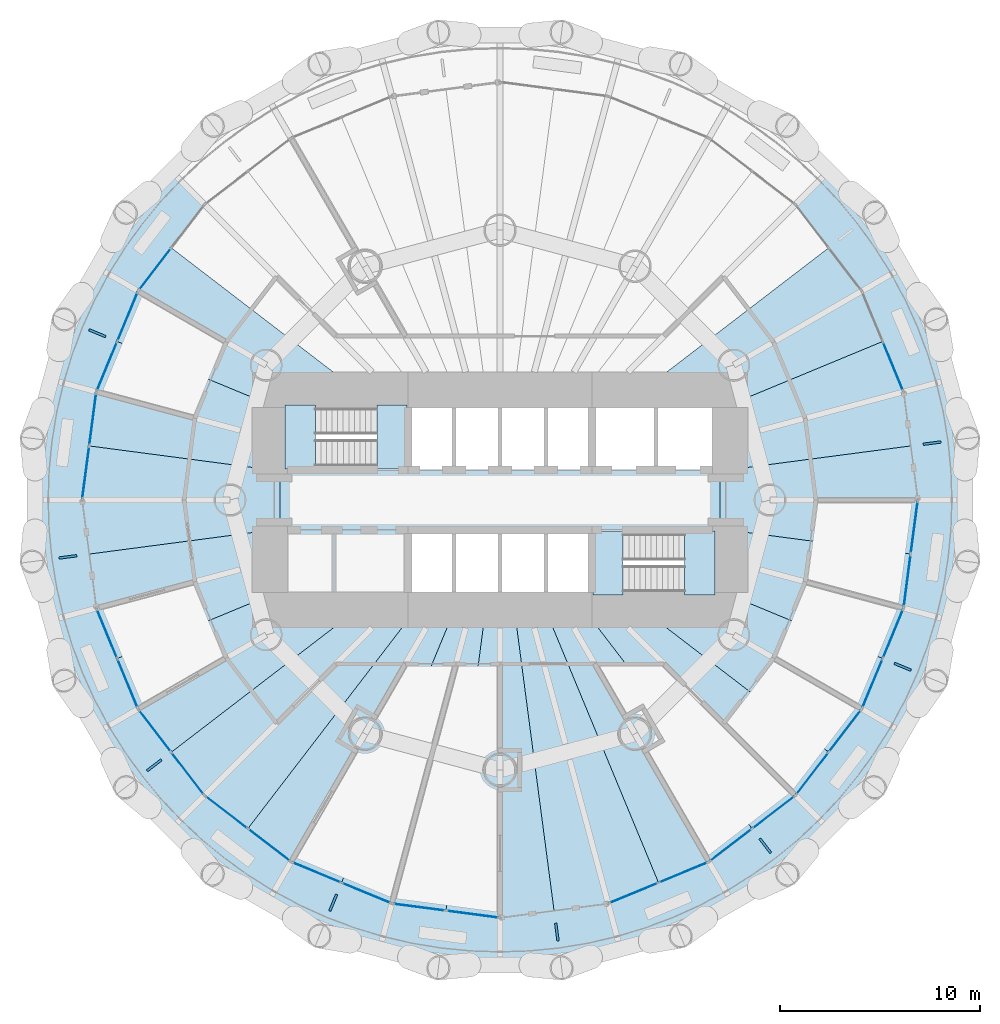
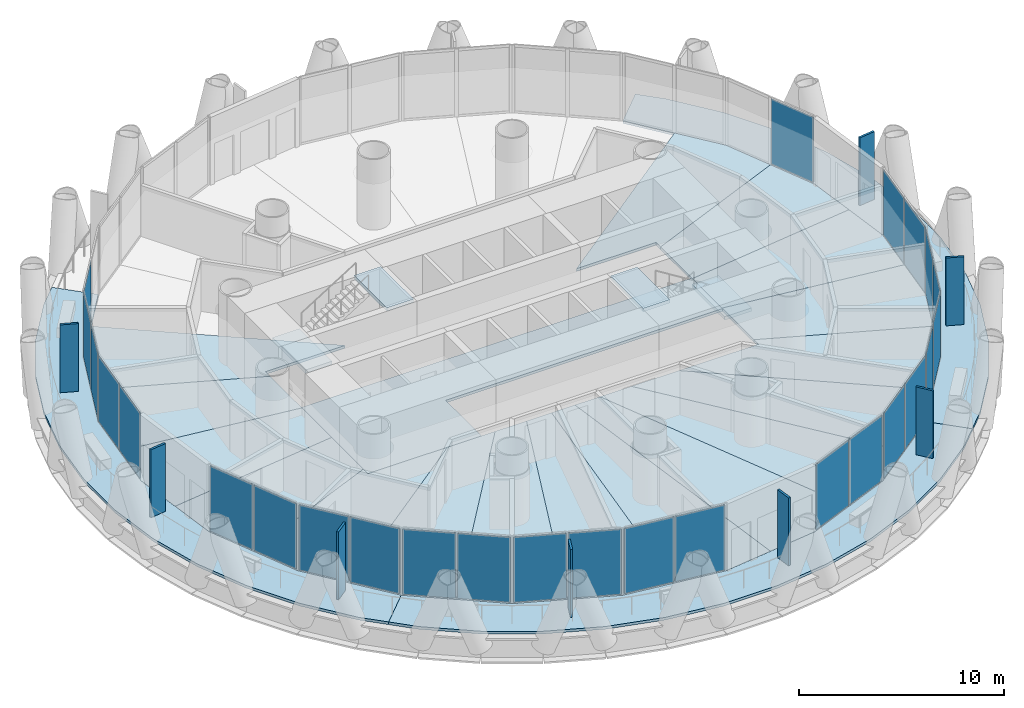
# One storey, part 8 of 15: 34 plates, 25 slabs, 16 elements without a shape of their own.
"""IFC4 building model written with IfcOpenShell, lengths in metres."""

from ifc_helpers import new_model, si_unit, direction, frame, origin, origin_2d, place, context, subcontext, project, spatial, polyline, rectangle, outline, extrude, material, layer, layer_set, type_object, element, aggregate, save


model = new_model("IFC4")

# Units and contexts
model_context = context("Model", 3, precision=1e-05, world=origin(), true_north=direction((0.0, 1.0)))
body_context = subcontext(model_context, "Body", "Model", "MODEL_VIEW")
ifc_project = project(units=[si_unit("LENGTHUNIT", "METRE"), si_unit("AREAUNIT", "SQUARE_METRE"), si_unit("VOLUMEUNIT", "CUBIC_METRE"), si_unit("PLANEANGLEUNIT", "RADIAN"), si_unit("MASSUNIT", "GRAM", prefix="KILO")], contexts=[model_context])

# Site, building, storey
site_placement = place(None, origin())
site = spatial("IfcSite", under=ifc_project, at=site_placement, CompositionType="ELEMENT")
building_placement = place(site_placement, origin())
building = spatial("IfcBuilding", under=site, at=building_placement, Name="Qaws Media Tower", CompositionType="ELEMENT")
storey_placement = place(building_placement, frame((0.0, 0.0, 30.199951171875)))
storey = spatial("IfcBuildingStorey", under=building, at=storey_placement, Name="L05", CompositionType="ELEMENT", Elevation=30.199951171875)

# Slabs
ifc_material_1 = material(Name="Concrete C35/45", Category="concrete")
ifc_layer_1 = layer(ifc_material_1, 0.159912109375)
ifc_layer_set_1 = layer_set([ifc_layer_1], Name="Composite balcony slab 160")
slab_type_1 = type_object("IfcSlabType", Name="Composite balcony slab 160", PredefinedType="FLOOR", material=ifc_layer_set_1)
slab_1_placement = place(storey_placement, frame((0.0, 0.0, -0.159912109375)))
element("IfcSlab", 1, at=slab_1_placement, inside=storey, type_object=slab_type_1, Name="S2 balcony slab L05 R10 to R16, movement joints on R10 and R16", PredefinedType="FLOOR", context=body_context, shape_type="SweptSolid", body=[
    extrude(outline(polyline([(42.482177734375, 34.63720703125), (40.626708984375, 37.05517578125), (39.102783203125, 39.694580078125), (37.9365234375, 42.510498046875), (37.147705078125, 45.454345703125), (36.75, 48.47607421875), (36.75, 51.52392578125), (37.147705078125, 54.545654296875), (37.9365234375, 57.489501953125), (39.102783203125, 60.305419921875), (40.626708984375, 62.94482421875), (42.482177734375, 65.36279296875), (43.559814453125, 66.440185546875), (45.221435546875, 64.778564453125), (41.900146484375, 60.449951171875), (39.812255859375, 55.4091796875), (39.10009765625, 50.0), (39.812255859375, 44.5908203125), (41.900146484375, 39.550048828125), (45.221435546875, 35.221435546875), (43.559814453125, 33.559814453125), (42.482177734375, 34.63720703125)])), origin(), (0.0, 0.0, 1.0), 0.159912109375),
])
slab_2_placement = place(storey_placement, frame((0.0, 0.0, -0.159912109375)))
element("IfcSlab", 2, at=slab_2_placement, inside=storey, type_object=slab_type_1, Name="S2 balcony slab L05 R16 to R22, movement joints on R16 and R22", PredefinedType="FLOOR", context=body_context, shape_type="SweptSolid", body=[
    extrude(outline(polyline([(75.36279296875, 32.482177734375), (72.94482421875, 30.626708984375), (70.305419921875, 29.102783203125), (67.489501953125, 27.9365234375), (64.545654296875, 27.147705078125), (61.52392578125, 26.75), (58.47607421875, 26.75), (55.454345703125, 27.147705078125), (52.510498046875, 27.9365234375), (49.694580078125, 29.102783203125), (47.05517578125, 30.626708984375), (44.63720703125, 32.482177734375), (43.559814453125, 33.559814453125), (45.221435546875, 35.221435546875), (49.550048828125, 31.900146484375), (54.5908203125, 29.81201171875), (60.0, 29.10009765625), (65.4091796875, 29.81201171875), (70.449951171875, 31.900146484375), (74.778564453125, 35.221435546875), (76.440185546875, 33.559814453125), (75.36279296875, 32.482177734375)])), origin(), (0.0, 0.0, 1.0), 0.159912109375),
])
slab_3_placement = place(storey_placement, frame((0.0, 0.0, -0.159912109375)))
element("IfcSlab", 3, at=slab_3_placement, inside=storey, type_object=slab_type_1, Name="S2 balcony slab L05 R22 to R04, movement joints on R22 and R04", PredefinedType="FLOOR", context=body_context, shape_type="SweptSolid", body=[
    extrude(outline(polyline([(82.852294921875, 45.454345703125), (82.0634765625, 42.510498046875), (80.897216796875, 39.694580078125), (79.373291015625, 37.05517578125), (77.517822265625, 34.63720703125), (76.440185546875, 33.559814453125), (74.778564453125, 35.221435546875), (78.099853515625, 39.550048828125), (80.187744140625, 44.5908203125), (80.89990234375, 50.0), (80.187744140625, 55.4091796875), (78.099853515625, 60.449951171875), (74.778564453125, 64.778564453125), (76.440185546875, 66.440185546875), (77.517822265625, 65.36279296875), (79.373291015625, 62.94482421875), (80.897216796875, 60.305419921875), (82.0634765625, 57.489501953125), (82.852294921875, 54.545654296875), (83.25, 51.52392578125), (83.25, 48.47607421875), (82.852294921875, 45.454345703125)])), origin(), (0.0, 0.0, 1.0), 0.159912109375),
])
ifc_material_2 = material(Name="Concrete C35/45", Category="concrete")
ifc_layer_2 = layer(ifc_material_2, 0.159912109375)
ifc_layer_set_2 = layer_set([ifc_layer_2], Name="Composite floor slab 160")
slab_type_2 = type_object("IfcSlabType", Name="Composite floor slab 160", PredefinedType="FLOOR", material=ifc_layer_set_2)
slab_4_placement = place(storey_placement, frame((0.0, 0.0, -0.159912109375)))
element("IfcSlab", 4, at=slab_4_placement, inside=storey, type_object=slab_type_2, Name="S1 core floor slab L05", PredefinedType="FLOOR", context=body_context, shape_type="SweptSolid", body=[
    extrude(outline(polyline([(71.0, 51.5), (71.0, 48.5), (55.39990234375, 48.5), (55.39990234375, 45.0), (49.0, 45.0), (49.0, 51.5), (71.0, 51.5)])), origin(), (0.0, 0.0, 1.0), 0.159912109375),
])
slab_5_placement = place(storey_placement, frame((0.0, 0.0, -0.159912109375)))
element("IfcSlab", 5, at=slab_5_placement, inside=storey, type_object=slab_type_2, Name="S1 floor panel L05 on R01", PredefinedType="FLOOR", context=body_context, shape_type="SweptSolid", body=[
    extrude(outline(polyline([(80.89990234375, 50.0), (80.5439453125, 47.29541015625), (71.0, 48.5517578125), (71.0, 51.4482421875), (80.5439453125, 52.70458984375), (80.89990234375, 50.0)])), origin(), (0.0, 0.0, 1.0), 0.159912109375),
])
slab_6_placement = place(storey_placement, frame((0.0, 0.0, -0.159912109375)))
element("IfcSlab", 6, at=slab_6_placement, inside=storey, type_object=slab_type_2, Name="S1 floor panel L05 on R02", PredefinedType="FLOOR", context=body_context, shape_type="SweptSolid", body=[
    extrude(outline(polyline([(80.187744140625, 55.4091796875), (80.5439453125, 52.70458984375), (71.0, 51.4482421875), (71.0, 54.556396484375), (79.143798828125, 57.9296875), (80.187744140625, 55.4091796875)])), origin(), (0.0, 0.0, 1.0), 0.159912109375),
])
slab_7_placement = place(storey_placement, frame((0.0, 0.0, -0.159912109375)))
element("IfcSlab", 7, at=slab_7_placement, inside=storey, type_object=slab_type_2, Name="S1 floor panel L05 on R03", PredefinedType="FLOOR", context=body_context, shape_type="SweptSolid", body=[
    extrude(outline(polyline([(78.099853515625, 60.449951171875), (79.143798828125, 57.9296875), (71.0, 54.556396484375), (71.0, 55.0), (66.51611328125, 55.0), (76.439208984375, 62.6142578125), (78.099853515625, 60.449951171875)])), origin(), (0.0, 0.0, 1.0), 0.159912109375),
])
slab_8_placement = place(storey_placement, frame((0.0, 0.0, -0.159912109375)))
element("IfcSlab", 8, at=slab_8_placement, inside=storey, type_object=slab_type_2, Name="S1 floor panel L05 on R11", PredefinedType="FLOOR", context=body_context, shape_type="SweptSolid", body=[
    extrude(outline(polyline([(41.900146484375, 60.449951171875), (43.560791015625, 62.6142578125), (53.48388671875, 55.0), (49.0, 55.0), (49.0, 54.556396484375), (40.856201171875, 57.9296875), (41.900146484375, 60.449951171875)])), origin(), (0.0, 0.0, 1.0), 0.159912109375),
])
slab_9_placement = place(storey_placement, frame((0.0, 0.0, -0.159912109375)))
element("IfcSlab", 9, at=slab_9_placement, inside=storey, type_object=slab_type_2, Name="S1 floor panel L05 on R12", PredefinedType="FLOOR", context=body_context, shape_type="SweptSolid", body=[
    extrude(outline(polyline([(39.812255859375, 55.4091796875), (40.856201171875, 57.9296875), (49.0, 54.556396484375), (49.0, 51.4482421875), (39.4560546875, 52.70458984375), (39.812255859375, 55.4091796875)])), origin(), (0.0, 0.0, 1.0), 0.159912109375),
])
slab_10_placement = place(storey_placement, frame((0.0, 0.0, -0.159912109375)))
element("IfcSlab", 10, at=slab_10_placement, inside=storey, type_object=slab_type_2, Name="S1 floor panel L05 on R13", PredefinedType="FLOOR", context=body_context, shape_type="SweptSolid", body=[
    extrude(outline(polyline([(39.10009765625, 50.0), (39.4560546875, 52.70458984375), (49.0, 51.4482421875), (49.0, 48.5517578125), (39.4560546875, 47.29541015625), (39.10009765625, 50.0)])), origin(), (0.0, 0.0, 1.0), 0.159912109375),
])
slab_11_placement = place(storey_placement, frame((0.0, 0.0, -0.159912109375)))
element("IfcSlab", 11, at=slab_11_placement, inside=storey, type_object=slab_type_2, Name="S1 floor panel L05 on R14", PredefinedType="FLOOR", context=body_context, shape_type="SweptSolid", body=[
    extrude(outline(polyline([(39.812255859375, 44.5908203125), (39.4560546875, 47.29541015625), (49.0, 48.5517578125), (49.0, 45.443603515625), (40.856201171875, 42.0703125), (39.812255859375, 44.5908203125)])), origin(), (0.0, 0.0, 1.0), 0.159912109375),
])
slab_12_placement = place(storey_placement, frame((0.0, 0.0, -0.159912109375)))
element("IfcSlab", 12, at=slab_12_placement, inside=storey, type_object=slab_type_2, Name="S1 floor panel L05 on R15", PredefinedType="FLOOR", context=body_context, shape_type="SweptSolid", body=[
    extrude(outline(polyline([(41.900146484375, 39.550048828125), (40.856201171875, 42.0703125), (49.0, 45.443603515625), (49.0, 45.0), (53.48388671875, 45.0), (43.560791015625, 37.3857421875), (41.900146484375, 39.550048828125)])), origin(), (0.0, 0.0, 1.0), 0.159912109375),
])
slab_13_placement = place(storey_placement, frame((0.0, 0.0, -0.159912109375)))
element("IfcSlab", 13, at=slab_13_placement, inside=storey, type_object=slab_type_2, Name="S1 floor panel L05 on R16", PredefinedType="FLOOR", context=body_context, shape_type="SweptSolid", body=[
    extrude(outline(polyline([(45.221435546875, 35.221435546875), (43.560791015625, 37.3857421875), (53.48388671875, 45.0), (56.163330078125, 45.0), (47.3857421875, 33.560791015625), (45.221435546875, 35.221435546875)])), origin(), (0.0, 0.0, 1.0), 0.159912109375),
])
slab_14_placement = place(storey_placement, frame((0.0, 0.0, -0.159912109375)))
element("IfcSlab", 14, at=slab_14_placement, inside=storey, type_object=slab_type_2, Name="S1 floor panel L05 on R17", PredefinedType="FLOOR", context=body_context, shape_type="SweptSolid", body=[
    extrude(outline(polyline([(49.550048828125, 31.900146484375), (47.3857421875, 33.560791015625), (56.163330078125, 45.0), (57.928955078125, 45.0), (52.0703125, 30.856201171875), (49.550048828125, 31.900146484375)])), origin(), (0.0, 0.0, 1.0), 0.159912109375),
])
slab_15_placement = place(storey_placement, frame((0.0, 0.0, -0.159912109375)))
element("IfcSlab", 15, at=slab_15_placement, inside=storey, type_object=slab_type_2, Name="S1 floor panel L05 on R18", PredefinedType="FLOOR", context=body_context, shape_type="SweptSolid", body=[
    extrude(outline(polyline([(54.5908203125, 29.81201171875), (52.0703125, 30.856201171875), (57.928955078125, 45.0), (59.341796875, 45.0), (57.29541015625, 29.4560546875), (54.5908203125, 29.81201171875)])), origin(), (0.0, 0.0, 1.0), 0.159912109375),
])
slab_16_placement = place(storey_placement, frame((0.0, 0.0, -0.159912109375)))
element("IfcSlab", 16, at=slab_16_placement, inside=storey, type_object=slab_type_2, Name="S1 floor panel L05 on R19", PredefinedType="FLOOR", context=body_context, shape_type="SweptSolid", body=[
    extrude(outline(polyline([(60.0, 29.10009765625), (57.29541015625, 29.4560546875), (59.341796875, 45.0), (60.658203125, 45.0), (62.70458984375, 29.4560546875), (60.0, 29.10009765625)])), origin(), (0.0, 0.0, 1.0), 0.159912109375),
])
slab_17_placement = place(storey_placement, frame((0.0, 0.0, -0.159912109375)))
element("IfcSlab", 17, at=slab_17_placement, inside=storey, type_object=slab_type_2, Name="S1 floor panel L05 on R20", PredefinedType="FLOOR", context=body_context, shape_type="SweptSolid", body=[
    extrude(outline(polyline([(65.4091796875, 29.81201171875), (62.70458984375, 29.4560546875), (60.658203125, 45.0), (62.071044921875, 45.0), (67.9296875, 30.856201171875), (65.4091796875, 29.81201171875)])), origin(), (0.0, 0.0, 1.0), 0.159912109375),
])
slab_18_placement = place(storey_placement, frame((0.0, 0.0, -0.159912109375)))
element("IfcSlab", 18, at=slab_18_placement, inside=storey, type_object=slab_type_2, Name="S1 floor panel L05 on R21", PredefinedType="FLOOR", context=body_context, shape_type="SweptSolid", body=[
    extrude(outline(polyline([(70.449951171875, 31.900146484375), (67.9296875, 30.856201171875), (62.071044921875, 45.0), (63.836669921875, 45.0), (72.6142578125, 33.560791015625), (70.449951171875, 31.900146484375)])), origin(), (0.0, 0.0, 1.0), 0.159912109375),
])
slab_19_placement = place(storey_placement, frame((0.0, 0.0, -0.159912109375)))
element("IfcSlab", 19, at=slab_19_placement, inside=storey, type_object=slab_type_2, Name="S1 floor panel L05 on R22", PredefinedType="FLOOR", context=body_context, shape_type="SweptSolid", body=[
    extrude(outline(polyline([(74.778564453125, 35.221435546875), (72.6142578125, 33.560791015625), (63.836669921875, 45.0), (66.51611328125, 45.0), (76.439208984375, 37.3857421875), (74.778564453125, 35.221435546875)])), origin(), (0.0, 0.0, 1.0), 0.159912109375),
])
slab_20_placement = place(storey_placement, frame((0.0, 0.0, -0.159912109375)))
element("IfcSlab", 20, at=slab_20_placement, inside=storey, type_object=slab_type_2, Name="S1 floor panel L05 on R23", PredefinedType="FLOOR", context=body_context, shape_type="SweptSolid", body=[
    extrude(outline(polyline([(78.099853515625, 39.550048828125), (76.439208984375, 37.3857421875), (66.51611328125, 45.0), (71.0, 45.0), (71.0, 45.443603515625), (79.143798828125, 42.0703125), (78.099853515625, 39.550048828125)])), origin(), (0.0, 0.0, 1.0), 0.159912109375),
])
slab_21_placement = place(storey_placement, frame((0.0, 0.0, -0.159912109375)))
element("IfcSlab", 21, at=slab_21_placement, inside=storey, type_object=slab_type_2, Name="S1 floor panel L05 on R24", PredefinedType="FLOOR", context=body_context, shape_type="SweptSolid", body=[
    extrude(outline(polyline([(79.143798828125, 42.0703125), (71.0, 45.443603515625), (71.0, 48.5517578125), (80.5439453125, 47.29541015625), (80.187744140625, 44.5908203125), (79.143798828125, 42.0703125)])), origin(), (0.0, 0.0, 1.0), 0.159912109375),
])

# Curtain wall, plate
ifc_material_3 = material(Name="Aluminium and clear glass", Category="aluminium")
curtain_wall_type = type_object("IfcCurtainWallType", Name="Unitised curtain wall CW-A", PredefinedType="NOTDEFINED", material=ifc_material_3)
curtain_wall_1_placement = place(storey_placement, origin())
curtain_wall_1 = element("IfcCurtainWall", 22, at=curtain_wall_1_placement, inside=storey, type_object=curtain_wall_type, Name="CWA curtain wall L05-02", PredefinedType="NOTDEFINED")
ifc_material_4 = material(Name="Clear laminated double glazing", Category="glass")
ifc_layer_3 = layer(ifc_material_4, 0.031982421875)
ifc_layer_set_3 = layer_set([ifc_layer_3], Name="Curtain wall glass unit 32")
plate_type_1 = type_object("IfcPlateType", Name="Curtain wall glass unit 32", PredefinedType="CURTAIN_PANEL", material=ifc_layer_set_3)
plate_1_placement = place(storey_placement, frame((79.658203125, 56.68798828125, 0.080078125), z_axis=(0.0, 0.0, 1.0), x_axis=(-0.382683456149, 0.92387952266, 0.0)))
plate_1 = element("IfcPlate", 23, at=plate_1_placement, type_object=plate_type_1, Name="CWA panel 1.1", PredefinedType="CURTAIN_PANEL", context=body_context, shape_type="SweptSolid", body=[
    extrude(rectangle(XDim=2.60791015625, YDim=0.031982421875, at=origin_2d()), origin(), (0.0, 0.0, 1.0), 3.8798828125),
])
aggregate(curtain_wall_1, [plate_1])

curtain_wall_2_placement = place(storey_placement, origin())
curtain_wall_2 = element("IfcCurtainWall", 24, at=curtain_wall_2_placement, inside=storey, type_object=curtain_wall_type, Name="CWA curtain wall L05-10", PredefinedType="NOTDEFINED")
plate_2_placement = place(storey_placement, frame((42.74267578125, 61.548095703125, 0.080078125), z_axis=(0.0, 0.0, 1.0), x_axis=(-0.608761380338, -0.793353377638, 0.0)))
plate_2 = element("IfcPlate", 25, at=plate_2_placement, type_object=plate_type_1, Name="CWA panel 2.1", PredefinedType="CURTAIN_PANEL", context=body_context, shape_type="SweptSolid", body=[
    extrude(rectangle(XDim=2.60791015625, YDim=0.031982421875, at=origin_2d()), origin(), (0.0, 0.0, 1.0), 3.8798828125),
])
aggregate(curtain_wall_2, [plate_2])

# Curtain wall, plates
curtain_wall_3_placement = place(storey_placement, origin())
curtain_wall_3 = element("IfcCurtainWall", 26, at=curtain_wall_3_placement, inside=storey, type_object=curtain_wall_type, Name="CWA curtain wall L05-11", PredefinedType="NOTDEFINED")
plate_3_placement = place(storey_placement, frame((41.370361328125, 59.17138671875, 0.080078125), z_axis=(0.0, 0.0, 1.0), x_axis=(-0.382683456149, -0.92387952266, 0.0)))
plate_3 = element("IfcPlate", 27, at=plate_3_placement, type_object=plate_type_1, Name="CWA panel 1.1", PredefinedType="CURTAIN_PANEL", context=body_context, shape_type="SweptSolid", body=[
    extrude(rectangle(XDim=2.60791015625, YDim=0.031982421875, at=origin_2d()), origin(), (0.0, 0.0, 1.0), 3.8798828125),
])
plate_4_placement = place(storey_placement, frame((40.341796875, 56.68798828125, 0.080078125), z_axis=(0.0, 0.0, 1.0), x_axis=(-0.382683456149, -0.92387952266, 0.0)))
plate_4 = element("IfcPlate", 28, at=plate_4_placement, type_object=plate_type_1, Name="CWA panel 2.1", PredefinedType="CURTAIN_PANEL", context=body_context, shape_type="SweptSolid", body=[
    extrude(rectangle(XDim=2.60791015625, YDim=0.031982421875, at=origin_2d()), origin(), (0.0, 0.0, 1.0), 3.8798828125),
])
aggregate(curtain_wall_3, [plate_3, plate_4])

curtain_wall_4_placement = place(storey_placement, origin())
curtain_wall_4 = element("IfcCurtainWall", 29, at=curtain_wall_4_placement, inside=storey, type_object=curtain_wall_type, Name="CWA curtain wall L05-12", PredefinedType="NOTDEFINED")
plate_5_placement = place(storey_placement, frame((39.631591796875, 54.037109375, 0.080078125), z_axis=(0.0, 0.0, 1.0), x_axis=(-0.130526151694, -0.991444866709, 0.0)))
plate_5 = element("IfcPlate", 30, at=plate_5_placement, type_object=plate_type_1, Name="CWA panel 1.1", PredefinedType="CURTAIN_PANEL", context=body_context, shape_type="SweptSolid", body=[
    extrude(rectangle(XDim=2.60791015625, YDim=0.031982421875, at=origin_2d()), origin(), (0.0, 0.0, 1.0), 3.8798828125),
])
plate_6_placement = place(storey_placement, frame((39.28076171875, 51.3720703125, 0.080078125), z_axis=(0.0, 0.0, 1.0), x_axis=(-0.130526151694, -0.991444866709, 0.0)))
plate_6 = element("IfcPlate", 31, at=plate_6_placement, type_object=plate_type_1, Name="CWA panel 2.1", PredefinedType="CURTAIN_PANEL", context=body_context, shape_type="SweptSolid", body=[
    extrude(rectangle(XDim=2.60791015625, YDim=0.031982421875, at=origin_2d()), origin(), (0.0, 0.0, 1.0), 3.8798828125),
])
aggregate(curtain_wall_4, [plate_5, plate_6])

curtain_wall_5_placement = place(storey_placement, origin())
curtain_wall_5 = element("IfcCurtainWall", 32, at=curtain_wall_5_placement, inside=storey, type_object=curtain_wall_type, Name="CWA curtain wall L05-14", PredefinedType="NOTDEFINED")
plate_7_placement = place(storey_placement, frame((40.341796875, 43.31201171875, 0.080078125), z_axis=(0.0, 0.0, 1.0), x_axis=(0.382683456149, -0.92387952266, 0.0)))
plate_7 = element("IfcPlate", 33, at=plate_7_placement, type_object=plate_type_1, Name="CWA panel 1.1", PredefinedType="CURTAIN_PANEL", context=body_context, shape_type="SweptSolid", body=[
    extrude(rectangle(XDim=2.60791015625, YDim=0.031982421875, at=origin_2d()), origin(), (0.0, 0.0, 1.0), 3.8798828125),
])
plate_8_placement = place(storey_placement, frame((41.370361328125, 40.82861328125, 0.080078125), z_axis=(0.0, 0.0, 1.0), x_axis=(0.382683456149, -0.92387952266, 0.0)))
plate_8 = element("IfcPlate", 34, at=plate_8_placement, type_object=plate_type_1, Name="CWA panel 2.1", PredefinedType="CURTAIN_PANEL", context=body_context, shape_type="SweptSolid", body=[
    extrude(rectangle(XDim=2.60791015625, YDim=0.031982421875, at=origin_2d()), origin(), (0.0, 0.0, 1.0), 3.8798828125),
])
aggregate(curtain_wall_5, [plate_7, plate_8])

curtain_wall_6_placement = place(storey_placement, origin())
curtain_wall_6 = element("IfcCurtainWall", 35, at=curtain_wall_6_placement, inside=storey, type_object=curtain_wall_type, Name="CWA curtain wall L05-15", PredefinedType="NOTDEFINED")
plate_9_placement = place(storey_placement, frame((42.74267578125, 38.451904296875, 0.080078125), z_axis=(0.0, 0.0, 1.0), x_axis=(0.608761380338, -0.793353377638, 0.0)))
plate_9 = element("IfcPlate", 36, at=plate_9_placement, type_object=plate_type_1, Name="CWA panel 1.1", PredefinedType="CURTAIN_PANEL", context=body_context, shape_type="SweptSolid", body=[
    extrude(rectangle(XDim=2.60791015625, YDim=0.031982421875, at=origin_2d()), origin(), (0.0, 0.0, 1.0), 3.8798828125),
])
plate_10_placement = place(storey_placement, frame((44.37890625, 36.319580078125, 0.080078125), z_axis=(0.0, 0.0, 1.0), x_axis=(0.608761380338, -0.793353377638, 0.0)))
plate_10 = element("IfcPlate", 37, at=plate_10_placement, type_object=plate_type_1, Name="CWA panel 2.1", PredefinedType="CURTAIN_PANEL", context=body_context, shape_type="SweptSolid", body=[
    extrude(rectangle(XDim=2.60791015625, YDim=0.031982421875, at=origin_2d()), origin(), (0.0, 0.0, 1.0), 3.8798828125),
])
aggregate(curtain_wall_6, [plate_9, plate_10])

curtain_wall_7_placement = place(storey_placement, origin())
curtain_wall_7 = element("IfcCurtainWall", 38, at=curtain_wall_7_placement, inside=storey, type_object=curtain_wall_type, Name="CWA curtain wall L05-16", PredefinedType="NOTDEFINED")
plate_11_placement = place(storey_placement, frame((46.319580078125, 34.37890625, 0.080078125), z_axis=(0.0, 0.0, 1.0), x_axis=(0.793353377638, -0.608761380338, 0.0)))
plate_11 = element("IfcPlate", 39, at=plate_11_placement, type_object=plate_type_1, Name="CWA panel 1.1", PredefinedType="CURTAIN_PANEL", context=body_context, shape_type="SweptSolid", body=[
    extrude(rectangle(XDim=2.60791015625, YDim=0.031982421875, at=origin_2d()), origin(), (0.0, 0.0, 1.0), 3.8798828125),
])
plate_12_placement = place(storey_placement, frame((48.451904296875, 32.74267578125, 0.080078125), z_axis=(0.0, 0.0, 1.0), x_axis=(0.793353377638, -0.608761380338, 0.0)))
plate_12 = element("IfcPlate", 40, at=plate_12_placement, type_object=plate_type_1, Name="CWA panel 2.1", PredefinedType="CURTAIN_PANEL", context=body_context, shape_type="SweptSolid", body=[
    extrude(rectangle(XDim=2.60791015625, YDim=0.031982421875, at=origin_2d()), origin(), (0.0, 0.0, 1.0), 3.8798828125),
])
aggregate(curtain_wall_7, [plate_11, plate_12])

curtain_wall_8_placement = place(storey_placement, origin())
curtain_wall_8 = element("IfcCurtainWall", 41, at=curtain_wall_8_placement, inside=storey, type_object=curtain_wall_type, Name="CWA curtain wall L05-17", PredefinedType="NOTDEFINED")
plate_13_placement = place(storey_placement, frame((50.82861328125, 31.370361328125, 0.080078125), z_axis=(0.0, 0.0, 1.0), x_axis=(0.92387952266, -0.382683456149, 0.0)))
plate_13 = element("IfcPlate", 42, at=plate_13_placement, type_object=plate_type_1, Name="CWA panel 1.1", PredefinedType="CURTAIN_PANEL", context=body_context, shape_type="SweptSolid", body=[
    extrude(rectangle(XDim=2.60791015625, YDim=0.031982421875, at=origin_2d()), origin(), (0.0, 0.0, 1.0), 3.8798828125),
])
plate_14_placement = place(storey_placement, frame((53.31201171875, 30.341796875, 0.080078125), z_axis=(0.0, 0.0, 1.0), x_axis=(0.92387952266, -0.382683456149, 0.0)))
plate_14 = element("IfcPlate", 43, at=plate_14_placement, type_object=plate_type_1, Name="CWA panel 2.1", PredefinedType="CURTAIN_PANEL", context=body_context, shape_type="SweptSolid", body=[
    extrude(rectangle(XDim=2.60791015625, YDim=0.031982421875, at=origin_2d()), origin(), (0.0, 0.0, 1.0), 3.8798828125),
])
aggregate(curtain_wall_8, [plate_13, plate_14])

curtain_wall_9_placement = place(storey_placement, origin())
curtain_wall_9 = element("IfcCurtainWall", 44, at=curtain_wall_9_placement, inside=storey, type_object=curtain_wall_type, Name="CWA curtain wall L05-18", PredefinedType="NOTDEFINED")
plate_15_placement = place(storey_placement, frame((55.962890625, 29.631591796875, 0.080078125), z_axis=(0.0, 0.0, 1.0), x_axis=(0.991444866709, -0.130526151694, 0.0)))
plate_15 = element("IfcPlate", 45, at=plate_15_placement, type_object=plate_type_1, Name="CWA panel 1.1", PredefinedType="CURTAIN_PANEL", context=body_context, shape_type="SweptSolid", body=[
    extrude(rectangle(XDim=2.60791015625, YDim=0.031982421875, at=origin_2d()), origin(), (0.0, 0.0, 1.0), 3.8798828125),
])
plate_16_placement = place(storey_placement, frame((58.6279296875, 29.28076171875, 0.080078125), z_axis=(0.0, 0.0, 1.0), x_axis=(0.991444866709, -0.130526151694, 0.0)))
plate_16 = element("IfcPlate", 46, at=plate_16_placement, type_object=plate_type_1, Name="CWA panel 2.1", PredefinedType="CURTAIN_PANEL", context=body_context, shape_type="SweptSolid", body=[
    extrude(rectangle(XDim=2.60791015625, YDim=0.031982421875, at=origin_2d()), origin(), (0.0, 0.0, 1.0), 3.8798828125),
])
aggregate(curtain_wall_9, [plate_15, plate_16])

curtain_wall_10_placement = place(storey_placement, origin())
curtain_wall_10 = element("IfcCurtainWall", 47, at=curtain_wall_10_placement, inside=storey, type_object=curtain_wall_type, Name="CWA curtain wall L05-20", PredefinedType="NOTDEFINED")
plate_17_placement = place(storey_placement, frame((66.68798828125, 30.341796875, 0.080078125), z_axis=(0.0, 0.0, 1.0), x_axis=(0.92387952266, 0.382683456149, 0.0)))
plate_17 = element("IfcPlate", 48, at=plate_17_placement, type_object=plate_type_1, Name="CWA panel 1.1", PredefinedType="CURTAIN_PANEL", context=body_context, shape_type="SweptSolid", body=[
    extrude(rectangle(XDim=2.60791015625, YDim=0.031982421875, at=origin_2d()), origin(), (0.0, 0.0, 1.0), 3.8798828125),
])
plate_18_placement = place(storey_placement, frame((69.17138671875, 31.370361328125, 0.080078125), z_axis=(0.0, 0.0, 1.0), x_axis=(0.92387952266, 0.382683456149, 0.0)))
plate_18 = element("IfcPlate", 49, at=plate_18_placement, type_object=plate_type_1, Name="CWA panel 2.1", PredefinedType="CURTAIN_PANEL", context=body_context, shape_type="SweptSolid", body=[
    extrude(rectangle(XDim=2.60791015625, YDim=0.031982421875, at=origin_2d()), origin(), (0.0, 0.0, 1.0), 3.8798828125),
])
aggregate(curtain_wall_10, [plate_17, plate_18])

curtain_wall_11_placement = place(storey_placement, origin())
curtain_wall_11 = element("IfcCurtainWall", 50, at=curtain_wall_11_placement, inside=storey, type_object=curtain_wall_type, Name="CWA curtain wall L05-21", PredefinedType="NOTDEFINED")
plate_19_placement = place(storey_placement, frame((71.548095703125, 32.74267578125, 0.080078125), z_axis=(0.0, 0.0, 1.0), x_axis=(0.793353377638, 0.608761380338, 0.0)))
plate_19 = element("IfcPlate", 51, at=plate_19_placement, type_object=plate_type_1, Name="CWA panel 1.1", PredefinedType="CURTAIN_PANEL", context=body_context, shape_type="SweptSolid", body=[
    extrude(rectangle(XDim=2.60791015625, YDim=0.031982421875, at=origin_2d()), origin(), (0.0, 0.0, 1.0), 3.8798828125),
])
plate_20_placement = place(storey_placement, frame((73.680419921875, 34.37890625, 0.080078125), z_axis=(0.0, 0.0, 1.0), x_axis=(0.793353377638, 0.608761380338, 0.0)))
plate_20 = element("IfcPlate", 52, at=plate_20_placement, type_object=plate_type_1, Name="CWA panel 2.1", PredefinedType="CURTAIN_PANEL", context=body_context, shape_type="SweptSolid", body=[
    extrude(rectangle(XDim=2.60791015625, YDim=0.031982421875, at=origin_2d()), origin(), (0.0, 0.0, 1.0), 3.8798828125),
])
aggregate(curtain_wall_11, [plate_19, plate_20])

curtain_wall_12_placement = place(storey_placement, origin())
curtain_wall_12 = element("IfcCurtainWall", 53, at=curtain_wall_12_placement, inside=storey, type_object=curtain_wall_type, Name="CWA curtain wall L05-22", PredefinedType="NOTDEFINED")
plate_21_placement = place(storey_placement, frame((75.62109375, 36.319580078125, 0.080078125), z_axis=(0.0, 0.0, 1.0), x_axis=(0.608761380338, 0.793353377638, 0.0)))
plate_21 = element("IfcPlate", 54, at=plate_21_placement, type_object=plate_type_1, Name="CWA panel 1.1", PredefinedType="CURTAIN_PANEL", context=body_context, shape_type="SweptSolid", body=[
    extrude(rectangle(XDim=2.60791015625, YDim=0.031982421875, at=origin_2d()), origin(), (0.0, 0.0, 1.0), 3.8798828125),
])
plate_22_placement = place(storey_placement, frame((77.25732421875, 38.451904296875, 0.080078125), z_axis=(0.0, 0.0, 1.0), x_axis=(0.608761380338, 0.793353377638, 0.0)))
plate_22 = element("IfcPlate", 55, at=plate_22_placement, type_object=plate_type_1, Name="CWA panel 2.1", PredefinedType="CURTAIN_PANEL", context=body_context, shape_type="SweptSolid", body=[
    extrude(rectangle(XDim=2.60791015625, YDim=0.031982421875, at=origin_2d()), origin(), (0.0, 0.0, 1.0), 3.8798828125),
])
aggregate(curtain_wall_12, [plate_21, plate_22])

curtain_wall_13_placement = place(storey_placement, origin())
curtain_wall_13 = element("IfcCurtainWall", 56, at=curtain_wall_13_placement, inside=storey, type_object=curtain_wall_type, Name="CWA curtain wall L05-23", PredefinedType="NOTDEFINED")
plate_23_placement = place(storey_placement, frame((78.629638671875, 40.82861328125, 0.080078125), z_axis=(0.0, 0.0, 1.0), x_axis=(0.382683456149, 0.92387952266, 0.0)))
plate_23 = element("IfcPlate", 57, at=plate_23_placement, type_object=plate_type_1, Name="CWA panel 1.1", PredefinedType="CURTAIN_PANEL", context=body_context, shape_type="SweptSolid", body=[
    extrude(rectangle(XDim=2.60791015625, YDim=0.031982421875, at=origin_2d()), origin(), (0.0, 0.0, 1.0), 3.8798828125),
])
plate_24_placement = place(storey_placement, frame((79.658203125, 43.31201171875, 0.080078125), z_axis=(0.0, 0.0, 1.0), x_axis=(0.382683456149, 0.92387952266, 0.0)))
plate_24 = element("IfcPlate", 58, at=plate_24_placement, type_object=plate_type_1, Name="CWA panel 2.1", PredefinedType="CURTAIN_PANEL", context=body_context, shape_type="SweptSolid", body=[
    extrude(rectangle(XDim=2.60791015625, YDim=0.031982421875, at=origin_2d()), origin(), (0.0, 0.0, 1.0), 3.8798828125),
])
aggregate(curtain_wall_13, [plate_23, plate_24])

curtain_wall_14_placement = place(storey_placement, origin())
curtain_wall_14 = element("IfcCurtainWall", 59, at=curtain_wall_14_placement, inside=storey, type_object=curtain_wall_type, Name="CWA curtain wall L05-24", PredefinedType="NOTDEFINED")
plate_25_placement = place(storey_placement, frame((80.368408203125, 45.962890625, 0.080078125), z_axis=(0.0, 0.0, 1.0), x_axis=(0.130526151694, 0.991444866709, 0.0)))
plate_25 = element("IfcPlate", 60, at=plate_25_placement, type_object=plate_type_1, Name="CWA panel 1.1", PredefinedType="CURTAIN_PANEL", context=body_context, shape_type="SweptSolid", body=[
    extrude(rectangle(XDim=2.60791015625, YDim=0.031982421875, at=origin_2d()), origin(), (0.0, 0.0, 1.0), 3.8798828125),
])
plate_26_placement = place(storey_placement, frame((80.71923828125, 48.6279296875, 0.080078125), z_axis=(0.0, 0.0, 1.0), x_axis=(0.130526151694, 0.991444866709, 0.0)))
plate_26 = element("IfcPlate", 61, at=plate_26_placement, type_object=plate_type_1, Name="CWA panel 2.1", PredefinedType="CURTAIN_PANEL", context=body_context, shape_type="SweptSolid", body=[
    extrude(rectangle(XDim=2.60791015625, YDim=0.031982421875, at=origin_2d()), origin(), (0.0, 0.0, 1.0), 3.8798828125),
])
aggregate(curtain_wall_14, [plate_25, plate_26])

# Plates
ifc_material_5 = material(Name="Precast concrete screen fin", Category="concrete")
ifc_layer_4 = layer(ifc_material_5, 0.1201171875)
ifc_layer_set_4 = layer_set([ifc_layer_4], Name="Screen fin 120x900")
plate_type_2 = type_object("IfcPlateType", Name="Screen fin 120x900", PredefinedType="USERDEFINED", material=ifc_layer_set_4)
for number, where, z_axis, x_axis, name in (
    (62, (81.613525390625, 52.845458984375, 0.0), (0.0, 0.0, 1.0), (0.991444861374, 0.13052619222, 0.0), "SCR1 screen fin L05-01"),
    (63, (39.859375, 58.342529296875, 0.0), (0.0, 0.0, 1.0), (-0.923879532511, 0.382683432365, 0.0), "SCR1 screen fin L05-06"),
    (64, (38.386474609375, 47.154541015625, 0.0), (0.0, 0.0, 1.0), (-0.991444861374, -0.13052619222, 0.0), "SCR1 screen fin L05-07"),
    (65, (42.704833984375, 36.72900390625, 0.0), (0.0, 0.0, 1.0), (-0.793353340291, -0.608761429009, 0.0), "SCR1 screen fin L05-08"),
    (66, (51.657470703125, 29.859375, 0.0), (0.0, 0.0, 1.0), (-0.382683432365, -0.923879532511, 0.0), "SCR1 screen fin L05-09"),
    (67, (62.845458984375, 28.386474609375, 0.0), (0.0, 0.0, 1.0), (0.13052619222, -0.991444861374, 0.0), "SCR1 screen fin L05-10"),
    (68, (73.27099609375, 32.704833984375, 0.0), (0.0, 0.0, 1.0), (0.608761429009, -0.793353340291, 0.0), "SCR1 screen fin L05-11"),
    (69, (80.140625, 41.657470703125, 0.0), (0.0, 0.0, 1.0), (0.923879532511, -0.382683432365, 0.0), "SCR1 screen fin L05-12"),
):
    element("IfcPlate", number, at=place(storey_placement, frame(where, z_axis=z_axis, x_axis=x_axis)), inside=storey, type_object=plate_type_2, Name=name, ObjectType="SCREEN", PredefinedType="USERDEFINED", context=body_context, shape_type="SweptSolid", body=[
        extrude(rectangle(XDim=0.89990234375, YDim=0.1201171875, at=origin_2d()), origin(), (0.0, 0.0, 1.0), 4.0400390625),
    ])

# Stair, slabs
ifc_material_6 = material(Name="Concrete C40/50", Category="concrete")
stair_type = type_object("IfcStairType", Name="Exit stair", PredefinedType="HALF_TURN_STAIR", material=ifc_material_6)
stair_1_placement = place(storey_placement, origin())
stair_1 = element("IfcStair", 70, at=stair_1_placement, inside=storey, type_object=stair_type, Name="S1 exit stair L05", PredefinedType="HALF_TURN_STAIR")
ifc_material_7 = material(Name="Concrete C40/50", Category="concrete")
ifc_layer_5 = layer(ifc_material_7, 0.199951171875)
ifc_layer_set_5 = layer_set([ifc_layer_5], Name="Stair landing 200")
slab_type_3 = type_object("IfcSlabType", Name="Stair landing 200", PredefinedType="LANDING", material=ifc_layer_set_5)
slab_22_placement = place(storey_placement, frame((0.0, 0.0, 1.900146484375)))
slab_22 = element("IfcSlab", 71, at=slab_22_placement, type_object=slab_type_3, Name="S1 landing 1", PredefinedType="LANDING", context=body_context, shape_type="SweptSolid", body=[
    extrude(outline(polyline([(49.25, 51.550048828125), (50.760009765625, 51.550048828125), (50.760009765625, 54.75), (49.25, 54.75), (49.25, 51.550048828125)])), origin(), (0.0, 0.0, 1.0), 0.199951171875),
])
slab_23_placement = place(storey_placement, frame((0.0, 0.0, 4.0)))
slab_23 = element("IfcSlab", 72, at=slab_23_placement, type_object=slab_type_3, Name="S1 landing 2", PredefinedType="LANDING", context=body_context, shape_type="SweptSolid", body=[
    extrude(outline(polyline([(53.840087890625, 51.550048828125), (55.35009765625, 51.550048828125), (55.35009765625, 54.75), (53.840087890625, 54.75), (53.840087890625, 51.550048828125)])), origin(), (0.0, 0.0, 1.0), 0.199951171875),
])
aggregate(stair_1, [slab_22, slab_23])

stair_2_placement = place(storey_placement, origin())
stair_2 = element("IfcStair", 73, at=stair_2_placement, inside=storey, type_object=stair_type, Name="S2 exit stair L05", PredefinedType="HALF_TURN_STAIR")
slab_24_placement = place(storey_placement, frame((0.0, 0.0, 1.900146484375)))
slab_24 = element("IfcSlab", 74, at=slab_24_placement, type_object=slab_type_3, Name="S2 landing 1", PredefinedType="LANDING", context=body_context, shape_type="SweptSolid", body=[
    extrude(outline(polyline([(69.239990234375, 45.25), (70.75, 45.25), (70.75, 48.449951171875), (69.239990234375, 48.449951171875), (69.239990234375, 45.25)])), origin(), (0.0, 0.0, 1.0), 0.199951171875),
])
slab_25_placement = place(storey_placement, frame((0.0, 0.0, 4.0)))
slab_25 = element("IfcSlab", 75, at=slab_25_placement, type_object=slab_type_3, Name="S2 landing 2", PredefinedType="LANDING", context=body_context, shape_type="SweptSolid", body=[
    extrude(outline(polyline([(64.64990234375, 45.25), (66.159912109375, 45.25), (66.159912109375, 48.449951171875), (64.64990234375, 48.449951171875), (64.64990234375, 45.25)])), origin(), (0.0, 0.0, 1.0), 0.199951171875),
])
aggregate(stair_2, [slab_24, slab_25])

save(model, "model.ifc")
